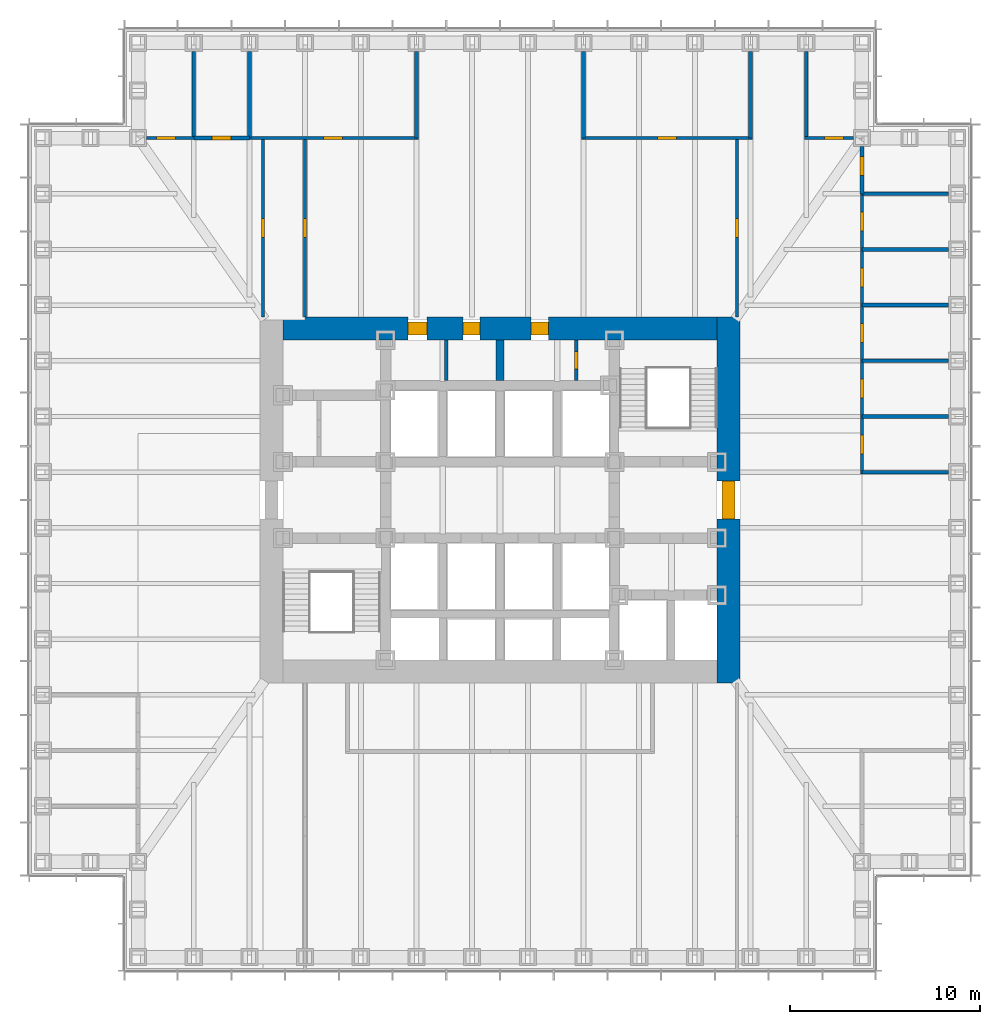
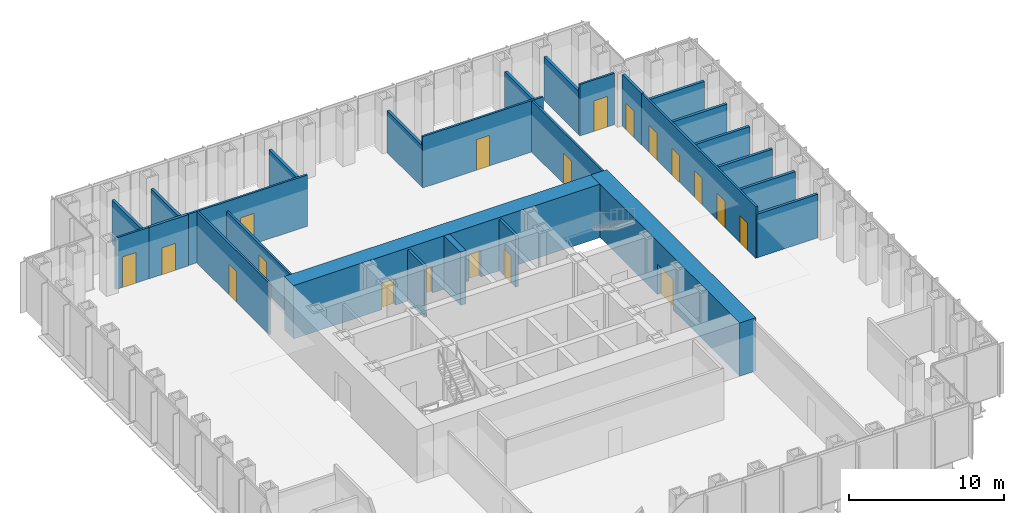
# One storey, part 10 of 17: 27 walls, 19 doors, 19 openings.
"""IFC4 building model written with IfcOpenShell, lengths in metres."""

from ifc_helpers import new_model, si_unit, direction, frame, frame_2d, origin, place, context, subcontext, project, spatial, rectangle, extrude, material, layer, layer_set, type_object, element, fill, save


model = new_model("IFC4")

# Units and contexts
model_context = context("Model", 3, precision=1e-05, world=origin(), true_north=direction((0.0, 1.0)))
body_context = subcontext(model_context, "Body", "Model", "MODEL_VIEW")
ifc_project = project(units=[si_unit("LENGTHUNIT", "METRE"), si_unit("AREAUNIT", "SQUARE_METRE"), si_unit("VOLUMEUNIT", "CUBIC_METRE"), si_unit("PLANEANGLEUNIT", "RADIAN"), si_unit("MASSUNIT", "GRAM", prefix="KILO")], contexts=[model_context])

# Site, building, storey
site_placement = place(None, origin())
site = spatial("IfcSite", under=ifc_project, at=site_placement, CompositionType="ELEMENT")
building_placement = place(site_placement, origin())
building = spatial("IfcBuilding", under=site, at=building_placement, Name="Daluyong Arena Tower", CompositionType="ELEMENT")
storey_placement = place(building_placement, frame((0.0, 0.0, 55.89990234375)))
storey = spatial("IfcBuildingStorey", under=building, at=storey_placement, Name="L11", CompositionType="ELEMENT", Elevation=55.89990234375)

# Wall, opening, door
ifc_material_1 = material(Name="Concrete fc' 60 MPa", Category="concrete")
ifc_layer_1 = layer(ifc_material_1, 1.199951171875)
ifc_layer_set_1 = layer_set([ifc_layer_1], Name="Concrete fc' 60 MPa")
wall_type_1 = type_object("IfcWallType", Name="Core wall 1200", PredefinedType="SHEAR", material=ifc_layer_set_1)
wall_1_placement = place(storey_placement, frame((68.0, 70.39990234375, 0.0), z_axis=(0.0, 0.0, 1.0), x_axis=(0.0, 1.0, 0.0)))
wall_1 = element("IfcWall", 1, at=wall_1_placement, inside=storey, type_object=wall_type_1, Name="core wall at L11", PredefinedType="SHEAR", context=body_context, shape_type="SweptSolid", body=[
    extrude(rectangle(XDim=19.2001953125, YDim=1.199951171875, at=frame_2d((9.60009765625, 0.0))), origin(), (0.0, 0.0, 1.0), 4.2001953125),
])
opening_1_placement = place(wall_1_placement, frame((8.60009765625, 0.0, 0.0)))
opening_1 = element("IfcOpeningElement", 2, at=opening_1_placement, cuts=wall_1, Name="Opening 11011", PredefinedType="OPENING", context=body_context, shape_type="SweptSolid", body=[
    extrude(rectangle(XDim=2.0, YDim=2.39990234375, at=frame_2d((1.0, 1.199951171875))), frame((0.0, 0.60986328125, 0.0), z_axis=(0.0, -1.0, 0.0), x_axis=(1.0, 0.0, 0.0)), (0.0, 0.0, 1.0), 1.219970703125),
])
ifc_material_2 = material(Name="Steel door, fire rated", Category="steel")
door_type_1 = type_object("IfcDoorType", Name="Core lobby double door 2000", OperationType="DOUBLE_DOOR_SINGLE_SWING", PredefinedType="DOOR", material=ifc_material_2)
door_1_placement = place(opening_1_placement, origin())
door_1 = element("IfcDoor", 3, at=door_1_placement, inside=storey, type_object=door_type_1, Name="core lobby door east 11011", OperationType="DOUBLE_DOOR_SINGLE_SWING", OverallHeight=2.39990234375, OverallWidth=2.0, PredefinedType="DOOR", context=body_context, shape_type="SweptSolid", body=[
    extrude(rectangle(XDim=2.0, YDim=2.39990234375, at=frame_2d((1.0, 1.199951171875))), frame((0.0, 0.35009765625, 0.0), z_axis=(0.0, -1.0, 0.0), x_axis=(1.0, 0.0, 0.0)), (0.0, 0.0, 1.0), 0.699951171875),
])
fill(opening_1, door_1)

# Wall, openings, doors
wall_2_placement = place(storey_placement, frame((44.60009765625, 89.0, 0.0), z_axis=(0.0, 0.0, 1.0), x_axis=(1.0, 0.0, 0.0)))
wall_2 = element("IfcWall", 4, at=wall_2_placement, inside=storey, type_object=wall_type_1, Name="core wall at L11", PredefinedType="SHEAR", context=body_context, shape_type="SweptSolid", body=[
    extrude(rectangle(XDim=22.7998046875, YDim=1.199951171875, at=frame_2d((11.39990234375, 0.0))), origin(), (0.0, 0.0, 1.0), 4.2001953125),
])
opening_2_placement = place(wall_2_placement, frame((6.574951171875, 0.0, 0.0)))
opening_2 = element("IfcOpeningElement", 5, at=opening_2_placement, cuts=wall_2, Name="Opening 11004", PredefinedType="OPENING", context=body_context, shape_type="SweptSolid", body=[
    extrude(rectangle(XDim=1.0, YDim=2.10009765625, at=frame_2d((0.5, 1.050048828125))), frame((0.0, 0.60986328125, 0.0), z_axis=(0.0, -1.0, 0.0), x_axis=(1.0, 0.0, 0.0)), (0.0, 0.0, 1.0), 1.219970703125),
])
opening_3_placement = place(wall_2_placement, frame((9.449951171875, 0.0, 0.0)))
opening_3 = element("IfcOpeningElement", 6, at=opening_3_placement, cuts=wall_2, Name="Opening 11005", PredefinedType="OPENING", context=body_context, shape_type="SweptSolid", body=[
    extrude(rectangle(XDim=0.89990234375, YDim=2.10009765625, at=frame_2d((0.449951171875, 1.050048828125))), frame((0.0, 0.60986328125, 0.0), z_axis=(0.0, -1.0, 0.0), x_axis=(1.0, 0.0, 0.0)), (0.0, 0.0, 1.0), 1.219970703125),
])
opening_4_placement = place(wall_2_placement, frame((13.03759765625, 0.0, 0.0)))
opening_4 = element("IfcOpeningElement", 7, at=opening_4_placement, cuts=wall_2, Name="Opening 11006", PredefinedType="OPENING", context=body_context, shape_type="SweptSolid", body=[
    extrude(rectangle(XDim=0.89990234375, YDim=2.10009765625, at=frame_2d((0.449951171875, 1.050048828125))), frame((0.0, 0.60986328125, 0.0), z_axis=(0.0, -1.0, 0.0), x_axis=(1.0, 0.0, 0.0)), (0.0, 0.0, 1.0), 1.219970703125),
])
ifc_material_3 = material(Name="Timber door", Category="wood")
door_type_2 = type_object("IfcDoorType", Name="Accessible toilet door 1000", OperationType="SINGLE_SWING_LEFT", PredefinedType="DOOR", material=ifc_material_3)
door_2_placement = place(opening_2_placement, origin())
door_2 = element("IfcDoor", 8, at=door_2_placement, inside=storey, type_object=door_type_2, Name="accessible toilet door 11004", OperationType="SINGLE_SWING_LEFT", OverallHeight=2.10009765625, OverallWidth=1.0, PredefinedType="DOOR", context=body_context, shape_type="SweptSolid", body=[
    extrude(rectangle(XDim=1.0, YDim=2.10009765625, at=frame_2d((0.5, 1.050048828125))), frame((0.0, 0.35009765625, 0.0), z_axis=(0.0, -1.0, 0.0), x_axis=(1.0, 0.0, 0.0)), (0.0, 0.0, 1.0), 0.699951171875),
])
fill(opening_2, door_2)
ifc_material_4 = material(Name="Steel door, fire rated", Category="steel")
door_type_3 = type_object("IfcDoorType", Name="Core room door 900", OperationType="SINGLE_SWING_LEFT", PredefinedType="DOOR", material=ifc_material_4)
door_3_placement = place(opening_3_placement, origin())
door_3 = element("IfcDoor", 9, at=door_3_placement, inside=storey, type_object=door_type_3, Name="print room door 11005", OperationType="SINGLE_SWING_LEFT", OverallHeight=2.10009765625, OverallWidth=0.89990234375, PredefinedType="DOOR", context=body_context, shape_type="SweptSolid", body=[
    extrude(rectangle(XDim=0.89990234375, YDim=2.10009765625, at=frame_2d((0.449951171875, 1.050048828125))), frame((0.0, 0.35009765625, 0.0), z_axis=(0.0, -1.0, 0.0), x_axis=(1.0, 0.0, 0.0)), (0.0, 0.0, 1.0), 0.699951171875),
])
fill(opening_3, door_3)
ifc_material_5 = material(Name="Steel door, fire rated", Category="steel")
door_type_4 = type_object("IfcDoorType", Name="Core store door 900", OperationType="SINGLE_SWING_LEFT", PredefinedType="DOOR", material=ifc_material_5)
door_4_placement = place(opening_4_placement, origin())
door_4 = element("IfcDoor", 10, at=door_4_placement, inside=storey, type_object=door_type_4, Name="tenant store door 11006", OperationType="SINGLE_SWING_LEFT", OverallHeight=2.10009765625, OverallWidth=0.89990234375, PredefinedType="DOOR", context=body_context, shape_type="SweptSolid", body=[
    extrude(rectangle(XDim=0.89990234375, YDim=2.10009765625, at=frame_2d((0.449951171875, 1.050048828125))), frame((0.0, 0.35009765625, 0.0), z_axis=(0.0, -1.0, 0.0), x_axis=(1.0, 0.0, 0.0)), (0.0, 0.0, 1.0), 0.699951171875),
])
fill(opening_4, door_4)

# Wall
ifc_material_6 = material(Name="Concrete block partition, fire rated", Category="concrete")
ifc_layer_2 = layer(ifc_material_6, 0.199951171875)
ifc_layer_set_2 = layer_set([ifc_layer_2], Name="Concrete block partition, fire rated")
wall_type_2 = type_object("IfcWallType", Name="Fire-rated partition 200", PredefinedType="PARTITIONING", material=ifc_layer_set_2)
wall_3_placement = place(storey_placement, frame((53.175048828125, 86.27490234375, 0.0), z_axis=(0.0, 0.0, 1.0), x_axis=(0.0, 1.0, 0.0)))
element("IfcWall", 11, at=wall_3_placement, inside=storey, type_object=wall_type_2, Name="core room partition at L11", PredefinedType="PARTITIONING", context=body_context, shape_type="SweptSolid", body=[
    extrude(rectangle(XDim=2.125, YDim=0.199951171875, at=frame_2d((1.0625, 0.0))), origin(), (0.0, 0.0, 1.0), 4.0400390625),
])

# Wall, opening, door
wall_4_placement = place(storey_placement, frame((60.0, 86.27490234375, 0.0), z_axis=(0.0, 0.0, 1.0), x_axis=(0.0, 1.0, 0.0)))
wall_4 = element("IfcWall", 12, at=wall_4_placement, inside=storey, type_object=wall_type_2, Name="electrical riser enclosure at L11", PredefinedType="PARTITIONING", context=body_context, shape_type="SweptSolid", body=[
    extrude(rectangle(XDim=2.125, YDim=0.199951171875, at=frame_2d((1.0625, 0.0))), origin(), (0.0, 0.0, 1.0), 4.0400390625),
])
opening_5_placement = place(wall_4_placement, frame((0.612548828125, 0.0, 0.0)))
opening_5 = element("IfcOpeningElement", 13, at=opening_5_placement, cuts=wall_4, Name="Opening 11007", PredefinedType="OPENING", context=body_context, shape_type="SweptSolid", body=[
    extrude(rectangle(XDim=0.89990234375, YDim=2.10009765625, at=frame_2d((0.449951171875, 1.050048828125))), frame((0.0, 0.10986328125, 0.0), z_axis=(0.0, -1.0, 0.0), x_axis=(1.0, 0.0, 0.0)), (0.0, 0.0, 1.0), 0.219970703125),
])
ifc_material_7 = material(Name="Steel door, fire rated", Category="steel")
door_type_5 = type_object("IfcDoorType", Name="Riser door 900", OperationType="SINGLE_SWING_LEFT", PredefinedType="DOOR", material=ifc_material_7)
door_5_placement = place(opening_5_placement, origin())
door_5 = element("IfcDoor", 14, at=door_5_placement, inside=storey, type_object=door_type_5, Name="riser door 11007", OperationType="SINGLE_SWING_LEFT", OverallHeight=2.10009765625, OverallWidth=0.89990234375, PredefinedType="DOOR", context=body_context, shape_type="SweptSolid", body=[
    extrude(rectangle(XDim=0.89990234375, YDim=2.10009765625, at=frame_2d((0.449951171875, 1.050048828125))), frame((0.0, 0.099609375, 0.0), z_axis=(0.0, -1.0, 0.0), x_axis=(1.0, 0.0, 0.0)), (0.0, 0.0, 1.0), 0.199462890625),
])
fill(opening_5, door_5)

ifc_material_8 = material(Name="Glazed aluminium partition", Category="aluminium")
ifc_layer_3 = layer(ifc_material_8, 0.14990234375)
ifc_layer_set_3 = layer_set([ifc_layer_3], Name="Glazed aluminium partition")
wall_type_3 = type_object("IfcWallType", Name="Glazed partition 150", PredefinedType="PARTITIONING", material=ifc_layer_set_3)
wall_5_placement = place(storey_placement, frame((37.449951171875, 99.0, 0.0), z_axis=(0.0, 0.0, 1.0), x_axis=(1.0, 0.0, 0.0)))
wall_5 = element("IfcWall", 15, at=wall_5_placement, inside=storey, type_object=wall_type_3, Name="glazed partition at L11", PredefinedType="PARTITIONING", context=body_context, shape_type="SweptSolid", body=[
    extrude(rectangle(XDim=2.47314453125, YDim=0.14990234375, at=frame_2d((1.236572265625, 0.0))), origin(), (0.0, 0.0, 1.0), 4.0400390625),
])
opening_6_placement = place(wall_5_placement, frame((0.511474609375, 0.0, 0.0)))
opening_6 = element("IfcOpeningElement", 16, at=opening_6_placement, cuts=wall_5, Name="Opening 11028", PredefinedType="OPENING", context=body_context, shape_type="SweptSolid", body=[
    extrude(rectangle(XDim=1.0, YDim=2.39990234375, at=frame_2d((0.5, 1.199951171875))), frame((0.0, 0.0849609375, 0.0), z_axis=(0.0, -1.0, 0.0), x_axis=(1.0, 0.0, 0.0)), (0.0, 0.0, 1.0), 0.169921875),
])
ifc_material_9 = material(Name="Glazed aluminium door", Category="aluminium")
door_type_6 = type_object("IfcDoorType", Name="Meeting room glazed door 1000", OperationType="SINGLE_SWING_RIGHT", PredefinedType="DOOR", material=ifc_material_9)
door_6_placement = place(opening_6_placement, origin())
door_6 = element("IfcDoor", 17, at=door_6_placement, inside=storey, type_object=door_type_6, Name="meeting room door 11028", OperationType="SINGLE_SWING_RIGHT", OverallHeight=2.39990234375, OverallWidth=1.0, PredefinedType="DOOR", context=body_context, shape_type="SweptSolid", body=[
    extrude(rectangle(XDim=1.0, YDim=2.39990234375, at=frame_2d((0.5, 1.199951171875))), frame((0.0, 0.07470703125, 0.0), z_axis=(0.0, -1.0, 0.0), x_axis=(1.0, 0.0, 0.0)), (0.0, 0.0, 1.0), 0.1494140625),
])
fill(opening_6, door_6)

wall_6_placement = place(storey_placement, frame((42.84619140625, 99.0, 0.0), z_axis=(0.0, 0.0, 1.0), x_axis=(1.0, 0.0, 0.0)))
wall_6 = element("IfcWall", 18, at=wall_6_placement, inside=storey, type_object=wall_type_3, Name="glazed partition at L11", PredefinedType="PARTITIONING", context=body_context, shape_type="SweptSolid", body=[
    extrude(rectangle(XDim=8.869140625, YDim=0.14990234375, at=frame_2d((4.4345703125, 0.0))), origin(), (0.0, 0.0, 1.0), 4.0400390625),
])
opening_7_placement = place(wall_6_placement, frame((3.884521484375, 0.0, 0.0)))
opening_7 = element("IfcOpeningElement", 19, at=opening_7_placement, cuts=wall_6, Name="Opening 11030", PredefinedType="OPENING", context=body_context, shape_type="SweptSolid", body=[
    extrude(rectangle(XDim=1.0, YDim=2.39990234375, at=frame_2d((0.5, 1.199951171875))), frame((0.0, 0.0849609375, 0.0), z_axis=(0.0, -1.0, 0.0), x_axis=(1.0, 0.0, 0.0)), (0.0, 0.0, 1.0), 0.169921875),
])
door_7_placement = place(opening_7_placement, origin())
door_7 = element("IfcDoor", 20, at=door_7_placement, inside=storey, type_object=door_type_6, Name="meeting room door 11030", OperationType="SINGLE_SWING_RIGHT", OverallHeight=2.39990234375, OverallWidth=1.0, PredefinedType="DOOR", context=body_context, shape_type="SweptSolid", body=[
    extrude(rectangle(XDim=1.0, YDim=2.39990234375, at=frame_2d((0.5, 1.199951171875))), frame((0.0, 0.07470703125, 0.0), z_axis=(0.0, -1.0, 0.0), x_axis=(1.0, 0.0, 0.0)), (0.0, 0.0, 1.0), 0.1494140625),
])
fill(opening_7, door_7)

wall_7_placement = place(storey_placement, frame((60.28466796875, 99.0, 0.0), z_axis=(0.0, 0.0, 1.0), x_axis=(1.0, 0.0, 0.0)))
wall_7 = element("IfcWall", 21, at=wall_7_placement, inside=storey, type_object=wall_type_3, Name="glazed partition at L11", PredefinedType="PARTITIONING", context=body_context, shape_type="SweptSolid", body=[
    extrude(rectangle(XDim=8.96923828125, YDim=0.14990234375, at=frame_2d((4.484619140625, 0.0))), origin(), (0.0, 0.0, 1.0), 4.0400390625),
])
opening_8_placement = place(wall_7_placement, frame((3.984619140625, 0.0, 0.0)))
opening_8 = element("IfcOpeningElement", 22, at=opening_8_placement, cuts=wall_7, Name="Opening 11031", PredefinedType="OPENING", context=body_context, shape_type="SweptSolid", body=[
    extrude(rectangle(XDim=1.0, YDim=2.39990234375, at=frame_2d((0.5, 1.199951171875))), frame((0.0, 0.0849609375, 0.0), z_axis=(0.0, -1.0, 0.0), x_axis=(1.0, 0.0, 0.0)), (0.0, 0.0, 1.0), 0.169921875),
])
door_8_placement = place(opening_8_placement, origin())
door_8 = element("IfcDoor", 23, at=door_8_placement, inside=storey, type_object=door_type_6, Name="meeting room door 11031", OperationType="SINGLE_SWING_RIGHT", OverallHeight=2.39990234375, OverallWidth=1.0, PredefinedType="DOOR", context=body_context, shape_type="SweptSolid", body=[
    extrude(rectangle(XDim=1.0, YDim=2.39990234375, at=frame_2d((0.5, 1.199951171875))), frame((0.0, 0.07470703125, 0.0), z_axis=(0.0, -1.0, 0.0), x_axis=(1.0, 0.0, 0.0)), (0.0, 0.0, 1.0), 0.1494140625),
])
fill(opening_8, door_8)

wall_8_placement = place(storey_placement, frame((71.976806640625, 99.0, 0.0), z_axis=(0.0, 0.0, 1.0), x_axis=(1.0, 0.0, 0.0)))
wall_8 = element("IfcWall", 24, at=wall_8_placement, inside=storey, type_object=wall_type_3, Name="glazed partition at L11", PredefinedType="PARTITIONING", context=body_context, shape_type="SweptSolid", body=[
    extrude(rectangle(XDim=2.5732421875, YDim=0.14990234375, at=frame_2d((1.28662109375, 0.0))), origin(), (0.0, 0.0, 1.0), 4.0400390625),
])
opening_9_placement = place(wall_8_placement, frame((1.0615234375, 0.0, 0.0)))
opening_9 = element("IfcOpeningElement", 25, at=opening_9_placement, cuts=wall_8, Name="Opening 11032", PredefinedType="OPENING", context=body_context, shape_type="SweptSolid", body=[
    extrude(rectangle(XDim=1.0, YDim=2.39990234375, at=frame_2d((0.5, 1.199951171875))), frame((0.0, 0.0849609375, 0.0), z_axis=(0.0, -1.0, 0.0), x_axis=(1.0, 0.0, 0.0)), (0.0, 0.0, 1.0), 0.169921875),
])
door_9_placement = place(opening_9_placement, origin())
door_9 = element("IfcDoor", 26, at=door_9_placement, inside=storey, type_object=door_type_6, Name="focus room door 11032", OperationType="SINGLE_SWING_RIGHT", OverallHeight=2.39990234375, OverallWidth=1.0, PredefinedType="DOOR", context=body_context, shape_type="SweptSolid", body=[
    extrude(rectangle(XDim=1.0, YDim=2.39990234375, at=frame_2d((0.5, 1.199951171875))), frame((0.0, 0.07470703125, 0.0), z_axis=(0.0, -1.0, 0.0), x_axis=(1.0, 0.0, 0.0)), (0.0, 0.0, 1.0), 0.1494140625),
])
fill(opening_9, door_9)

wall_9_placement = place(storey_placement, frame((43.550048828125, 89.60009765625, 0.0), z_axis=(0.0, 0.0, 1.0), x_axis=(0.0, 1.0, 0.0)))
wall_9 = element("IfcWall", 27, at=wall_9_placement, inside=storey, type_object=wall_type_3, Name="glazed partition at L11", PredefinedType="PARTITIONING", context=body_context, shape_type="SweptSolid", body=[
    extrude(rectangle(XDim=9.349853515625, YDim=0.14990234375, at=frame_2d((4.6748046875, 0.0))), origin(), (0.0, 0.0, 1.0), 4.0400390625),
])
opening_10_placement = place(wall_9_placement, frame((4.175048828125, 0.0, 0.0)))
opening_10 = element("IfcOpeningElement", 28, at=opening_10_placement, cuts=wall_9, Name="Opening 11038", PredefinedType="OPENING", context=body_context, shape_type="SweptSolid", body=[
    extrude(rectangle(XDim=1.0, YDim=2.39990234375, at=frame_2d((0.5, 1.199951171875))), frame((0.0, 0.0849609375, 0.0), z_axis=(0.0, -1.0, 0.0), x_axis=(1.0, 0.0, 0.0)), (0.0, 0.0, 1.0), 0.169921875),
])
door_10_placement = place(opening_10_placement, origin())
door_10 = element("IfcDoor", 29, at=door_10_placement, inside=storey, type_object=door_type_6, Name="team area screen door 11038", OperationType="SINGLE_SWING_RIGHT", OverallHeight=2.39990234375, OverallWidth=1.0, PredefinedType="DOOR", context=body_context, shape_type="SweptSolid", body=[
    extrude(rectangle(XDim=1.0, YDim=2.39990234375, at=frame_2d((0.5, 1.199951171875))), frame((0.0, 0.07470703125, 0.0), z_axis=(0.0, -1.0, 0.0), x_axis=(1.0, 0.0, 0.0)), (0.0, 0.0, 1.0), 0.1494140625),
])
fill(opening_10, door_10)

wall_10_placement = place(storey_placement, frame((45.769287109375, 89.60009765625, 0.0), z_axis=(0.0, 0.0, 1.0), x_axis=(0.0, 1.0, 0.0)))
wall_10 = element("IfcWall", 30, at=wall_10_placement, inside=storey, type_object=wall_type_3, Name="glazed partition at L11", PredefinedType="PARTITIONING", context=body_context, shape_type="SweptSolid", body=[
    extrude(rectangle(XDim=9.349853515625, YDim=0.14990234375, at=frame_2d((4.6748046875, 0.0))), origin(), (0.0, 0.0, 1.0), 3.278076171875),
])
opening_11_placement = place(wall_10_placement, frame((4.175048828125, 0.0, 0.0)))
opening_11 = element("IfcOpeningElement", 31, at=opening_11_placement, cuts=wall_10, Name="Opening 11041", PredefinedType="OPENING", context=body_context, shape_type="SweptSolid", body=[
    extrude(rectangle(XDim=1.0, YDim=2.39990234375, at=frame_2d((0.5, 1.199951171875))), frame((0.0, 0.0849609375, 0.0), z_axis=(0.0, -1.0, 0.0), x_axis=(1.0, 0.0, 0.0)), (0.0, 0.0, 1.0), 0.169921875),
])
door_11_placement = place(opening_11_placement, origin())
door_11 = element("IfcDoor", 32, at=door_11_placement, inside=storey, type_object=door_type_6, Name="team area screen door 11041", OperationType="SINGLE_SWING_RIGHT", OverallHeight=2.39990234375, OverallWidth=1.0, PredefinedType="DOOR", context=body_context, shape_type="SweptSolid", body=[
    extrude(rectangle(XDim=1.0, YDim=2.39990234375, at=frame_2d((0.5, 1.199951171875))), frame((0.0, 0.07470703125, 0.0), z_axis=(0.0, -1.0, 0.0), x_axis=(1.0, 0.0, 0.0)), (0.0, 0.0, 1.0), 0.1494140625),
])
fill(opening_11, door_11)

wall_11_placement = place(storey_placement, frame((68.449951171875, 89.60009765625, 0.0), z_axis=(0.0, 0.0, 1.0), x_axis=(0.0, 1.0, 0.0)))
wall_11 = element("IfcWall", 33, at=wall_11_placement, inside=storey, type_object=wall_type_3, Name="glazed partition at L11", PredefinedType="PARTITIONING", context=body_context, shape_type="SweptSolid", body=[
    extrude(rectangle(XDim=9.349853515625, YDim=0.14990234375, at=frame_2d((4.6748046875, 0.0))), origin(), (0.0, 0.0, 1.0), 4.0400390625),
])
opening_12_placement = place(wall_11_placement, frame((4.175048828125, 0.0, 0.0)))
opening_12 = element("IfcOpeningElement", 34, at=opening_12_placement, cuts=wall_11, Name="Opening 11039", PredefinedType="OPENING", context=body_context, shape_type="SweptSolid", body=[
    extrude(rectangle(XDim=1.0, YDim=2.39990234375, at=frame_2d((0.5, 1.199951171875))), frame((0.0, 0.0849609375, 0.0), z_axis=(0.0, -1.0, 0.0), x_axis=(1.0, 0.0, 0.0)), (0.0, 0.0, 1.0), 0.169921875),
])
door_12_placement = place(opening_12_placement, origin())
door_12 = element("IfcDoor", 35, at=door_12_placement, inside=storey, type_object=door_type_6, Name="team area screen door 11039", OperationType="SINGLE_SWING_RIGHT", OverallHeight=2.39990234375, OverallWidth=1.0, PredefinedType="DOOR", context=body_context, shape_type="SweptSolid", body=[
    extrude(rectangle(XDim=1.0, YDim=2.39990234375, at=frame_2d((0.5, 1.199951171875))), frame((0.0, 0.07470703125, 0.0), z_axis=(0.0, -1.0, 0.0), x_axis=(1.0, 0.0, 0.0)), (0.0, 0.0, 1.0), 0.1494140625),
])
fill(opening_12, door_12)

# Wall, openings, doors
wall_12_placement = place(storey_placement, frame((75.0, 81.361572265625, 0.0), z_axis=(0.0, 0.0, 1.0), x_axis=(0.0, 1.0, 0.0)))
wall_12 = element("IfcWall", 36, at=wall_12_placement, inside=storey, type_object=wall_type_3, Name="glazed partition at L11", PredefinedType="PARTITIONING", context=body_context, shape_type="SweptSolid", body=[
    extrude(rectangle(XDim=14.71533203125, YDim=0.14990234375, at=frame_2d((7.357666015625, 0.0))), origin(), (0.0, 0.0, 1.0), 4.0400390625),
])
opening_13_placement = place(wall_12_placement, frame((1.0615234375, 0.0, 0.0)))
opening_13 = element("IfcOpeningElement", 37, at=opening_13_placement, cuts=wall_12, Name="Opening 11022", PredefinedType="OPENING", context=body_context, shape_type="SweptSolid", body=[
    extrude(rectangle(XDim=1.0, YDim=2.10009765625, at=frame_2d((0.5, 1.050048828125))), frame((0.0, 0.0849609375, 0.0), z_axis=(0.0, -1.0, 0.0), x_axis=(1.0, 0.0, 0.0)), (0.0, 0.0, 1.0), 0.169921875),
])
opening_14_placement = place(wall_12_placement, frame((3.984619140625, 0.0, 0.0)))
opening_14 = element("IfcOpeningElement", 38, at=opening_14_placement, cuts=wall_12, Name="Opening 11023", PredefinedType="OPENING", context=body_context, shape_type="SweptSolid", body=[
    extrude(rectangle(XDim=1.0, YDim=2.10009765625, at=frame_2d((0.5, 1.050048828125))), frame((0.0, 0.0849609375, 0.0), z_axis=(0.0, -1.0, 0.0), x_axis=(1.0, 0.0, 0.0)), (0.0, 0.0, 1.0), 0.169921875),
])
opening_15_placement = place(wall_12_placement, frame((6.90771484375, 0.0, 0.0)))
opening_15 = element("IfcOpeningElement", 39, at=opening_15_placement, cuts=wall_12, Name="Opening 11024", PredefinedType="OPENING", context=body_context, shape_type="SweptSolid", body=[
    extrude(rectangle(XDim=1.0, YDim=2.10009765625, at=frame_2d((0.5, 1.050048828125))), frame((0.0, 0.0849609375, 0.0), z_axis=(0.0, -1.0, 0.0), x_axis=(1.0, 0.0, 0.0)), (0.0, 0.0, 1.0), 0.169921875),
])
opening_16_placement = place(wall_12_placement, frame((9.830810546875, 0.0, 0.0)))
opening_16 = element("IfcOpeningElement", 40, at=opening_16_placement, cuts=wall_12, Name="Opening 11025", PredefinedType="OPENING", context=body_context, shape_type="SweptSolid", body=[
    extrude(rectangle(XDim=1.0, YDim=2.10009765625, at=frame_2d((0.5, 1.050048828125))), frame((0.0, 0.0849609375, 0.0), z_axis=(0.0, -1.0, 0.0), x_axis=(1.0, 0.0, 0.0)), (0.0, 0.0, 1.0), 0.169921875),
])
opening_17_placement = place(wall_12_placement, frame((12.75390625, 0.0, 0.0)))
opening_17 = element("IfcOpeningElement", 41, at=opening_17_placement, cuts=wall_12, Name="Opening 11026", PredefinedType="OPENING", context=body_context, shape_type="SweptSolid", body=[
    extrude(rectangle(XDim=1.0, YDim=2.10009765625, at=frame_2d((0.5, 1.050048828125))), frame((0.0, 0.0849609375, 0.0), z_axis=(0.0, -1.0, 0.0), x_axis=(1.0, 0.0, 0.0)), (0.0, 0.0, 1.0), 0.169921875),
])
ifc_material_10 = material(Name="Timber door", Category="wood")
door_type_7 = type_object("IfcDoorType", Name="Room door 1000", OperationType="SINGLE_SWING_LEFT", PredefinedType="DOOR", material=ifc_material_10)
door_13_placement = place(opening_13_placement, origin())
door_13 = element("IfcDoor", 42, at=door_13_placement, inside=storey, type_object=door_type_7, Name="office door 11022", OperationType="SINGLE_SWING_LEFT", OverallHeight=2.10009765625, OverallWidth=1.0, PredefinedType="DOOR", context=body_context, shape_type="SweptSolid", body=[
    extrude(rectangle(XDim=1.0, YDim=2.10009765625, at=frame_2d((0.5, 1.050048828125))), frame((0.0, 0.07470703125, 0.0), z_axis=(0.0, -1.0, 0.0), x_axis=(1.0, 0.0, 0.0)), (0.0, 0.0, 1.0), 0.1494140625),
])
fill(opening_13, door_13)
door_14_placement = place(opening_14_placement, origin())
door_14 = element("IfcDoor", 43, at=door_14_placement, inside=storey, type_object=door_type_7, Name="office door 11023", OperationType="SINGLE_SWING_LEFT", OverallHeight=2.10009765625, OverallWidth=1.0, PredefinedType="DOOR", context=body_context, shape_type="SweptSolid", body=[
    extrude(rectangle(XDim=1.0, YDim=2.10009765625, at=frame_2d((0.5, 1.050048828125))), frame((0.0, 0.07470703125, 0.0), z_axis=(0.0, -1.0, 0.0), x_axis=(1.0, 0.0, 0.0)), (0.0, 0.0, 1.0), 0.1494140625),
])
fill(opening_14, door_14)
door_15_placement = place(opening_15_placement, origin())
door_15 = element("IfcDoor", 44, at=door_15_placement, inside=storey, type_object=door_type_7, Name="office door 11024", OperationType="SINGLE_SWING_LEFT", OverallHeight=2.10009765625, OverallWidth=1.0, PredefinedType="DOOR", context=body_context, shape_type="SweptSolid", body=[
    extrude(rectangle(XDim=1.0, YDim=2.10009765625, at=frame_2d((0.5, 1.050048828125))), frame((0.0, 0.07470703125, 0.0), z_axis=(0.0, -1.0, 0.0), x_axis=(1.0, 0.0, 0.0)), (0.0, 0.0, 1.0), 0.1494140625),
])
fill(opening_15, door_15)
door_16_placement = place(opening_16_placement, origin())
door_16 = element("IfcDoor", 45, at=door_16_placement, inside=storey, type_object=door_type_7, Name="office door 11025", OperationType="SINGLE_SWING_LEFT", OverallHeight=2.10009765625, OverallWidth=1.0, PredefinedType="DOOR", context=body_context, shape_type="SweptSolid", body=[
    extrude(rectangle(XDim=1.0, YDim=2.10009765625, at=frame_2d((0.5, 1.050048828125))), frame((0.0, 0.07470703125, 0.0), z_axis=(0.0, -1.0, 0.0), x_axis=(1.0, 0.0, 0.0)), (0.0, 0.0, 1.0), 0.1494140625),
])
fill(opening_16, door_16)
door_17_placement = place(opening_17_placement, origin())
door_17 = element("IfcDoor", 46, at=door_17_placement, inside=storey, type_object=door_type_7, Name="office door 11026", OperationType="SINGLE_SWING_LEFT", OverallHeight=2.10009765625, OverallWidth=1.0, PredefinedType="DOOR", context=body_context, shape_type="SweptSolid", body=[
    extrude(rectangle(XDim=1.0, YDim=2.10009765625, at=frame_2d((0.5, 1.050048828125))), frame((0.0, 0.07470703125, 0.0), z_axis=(0.0, -1.0, 0.0), x_axis=(1.0, 0.0, 0.0)), (0.0, 0.0, 1.0), 0.1494140625),
])
fill(opening_17, door_17)

# Walls
ifc_material_11 = material(Name="Concrete fc' 45 MPa", Category="concrete")
ifc_layer_4 = layer(ifc_material_11, 0.39990234375)
ifc_layer_set_4 = layer_set([ifc_layer_4], Name="Concrete fc' 45 MPa")
wall_type_4 = type_object("IfcWallType", Name="Lift shaft wall 400", PredefinedType="SHEAR", material=ifc_layer_set_4)
wall_13_placement = place(storey_placement, frame((56.0, 86.27490234375, 0.0), z_axis=(0.0, 0.0, 1.0), x_axis=(0.0, 1.0, 0.0)))
element("IfcWall", 47, at=wall_13_placement, inside=storey, type_object=wall_type_4, Name="lift shaft wall at L11", PredefinedType="SHEAR", context=body_context, shape_type="SweptSolid", body=[
    extrude(rectangle(XDim=2.125, YDim=0.39990234375, at=frame_2d((1.0625, 0.0))), origin(), (0.0, 0.0, 1.0), 4.2001953125),
])
ifc_material_12 = material(Name="Concrete block partition", Category="concrete")
ifc_layer_5 = layer(ifc_material_12, 0.199951171875)
ifc_layer_set_5 = layer_set([ifc_layer_5], Name="Concrete block partition")
wall_type_5 = type_object("IfcWallType", Name="Partition 200", PredefinedType="PARTITIONING", material=ifc_layer_set_5)
for number, where, z_axis, x_axis, name in (
    (48, (75.0, 81.46142578125, 0.0), (0.0, 0.0, 1.0), (1.0, 0.0, 0.0), "partition at L11"),
    (49, (75.0, 84.384521484375, 0.0), (0.0, 0.0, 1.0), (1.0, 0.0, 0.0), "partition at L11"),
    (50, (75.0, 87.3076171875, 0.0), (0.0, 0.0, 1.0), (1.0, 0.0, 0.0), "partition at L11"),
    (51, (75.0, 90.230712890625, 0.0), (0.0, 0.0, 1.0), (1.0, 0.0, 0.0), "partition at L11"),
    (52, (75.0, 93.15380859375, 0.0), (0.0, 0.0, 1.0), (1.0, 0.0, 0.0), "partition at L11"),
    (53, (75.0, 96.076904296875, 0.0), (0.0, 0.0, 1.0), (1.0, 0.0, 0.0), "partition at L11"),
    (54, (39.923095703125, 99.0, 0.0), (0.0, 0.0, 1.0), (0.0, 1.0, 0.0), "partition at L11"),
):
    element("IfcWall", number, at=place(storey_placement, frame(where, z_axis=z_axis, x_axis=x_axis)), inside=storey, type_object=wall_type_5, Name=name, PredefinedType="PARTITIONING", context=body_context, shape_type="SweptSolid", body=[
        extrude(rectangle(XDim=4.550048828125, YDim=0.199951171875, at=frame_2d((2.27490234375, 0.0))), origin(), (0.0, 0.0, 1.0), 3.427978515625),
    ])
for number, where, z_axis, x_axis, name in (
    (55, (42.84619140625, 99.0, 0.0), (0.0, 0.0, 1.0), (0.0, 1.0, 0.0), "partition at L11"),
    (56, (51.615478515625, 99.0, 0.0), (0.0, 0.0, 1.0), (0.0, 1.0, 0.0), "partition at L11"),
    (57, (60.384521484375, 99.0, 0.0), (0.0, 0.0, 1.0), (0.0, 1.0, 0.0), "partition at L11"),
    (58, (69.15380859375, 99.0, 0.0), (0.0, 0.0, 1.0), (0.0, 1.0, 0.0), "partition at L11"),
):
    element("IfcWall", number, at=place(storey_placement, frame(where, z_axis=z_axis, x_axis=x_axis)), inside=storey, type_object=wall_type_5, Name=name, PredefinedType="PARTITIONING", context=body_context, shape_type="SweptSolid", body=[
        extrude(rectangle(XDim=4.550048828125, YDim=0.199951171875, at=frame_2d((2.27490234375, 0.0))), origin(), (0.0, 0.0, 1.0), 3.278076171875),
    ])
wall_14_placement = place(storey_placement, frame((72.076904296875, 99.0, 0.0), z_axis=(0.0, 0.0, 1.0), x_axis=(0.0, 1.0, 0.0)))
element("IfcWall", 59, at=wall_14_placement, inside=storey, type_object=wall_type_5, Name="partition at L11", PredefinedType="PARTITIONING", context=body_context, shape_type="SweptSolid", body=[
    extrude(rectangle(XDim=4.550048828125, YDim=0.199951171875, at=frame_2d((2.27490234375, 0.0))), origin(), (0.0, 0.0, 1.0), 3.427978515625),
])

# Wall, opening, door
wall_15_placement = place(storey_placement, frame((39.923095703125, 99.0, 0.0), z_axis=(0.0, 0.0, 1.0), x_axis=(1.0, 0.0, 0.0)))
wall_15 = element("IfcWall", 60, at=wall_15_placement, inside=storey, type_object=wall_type_5, Name="partition at L11", PredefinedType="PARTITIONING", context=body_context, shape_type="SweptSolid", body=[
    extrude(rectangle(XDim=2.923095703125, YDim=0.199951171875, at=frame_2d((1.46142578125, 0.0))), origin(), (0.0, 0.0, 1.0), 4.0400390625),
])
opening_18_placement = place(wall_15_placement, frame((0.96142578125, 0.0, 0.0)))
opening_18 = element("IfcOpeningElement", 61, at=opening_18_placement, cuts=wall_15, Name="Opening 11029", PredefinedType="OPENING", context=body_context, shape_type="SweptSolid", body=[
    extrude(rectangle(XDim=1.0, YDim=2.10009765625, at=frame_2d((0.5, 1.050048828125))), frame((0.0, 0.10986328125, 0.0), z_axis=(0.0, -1.0, 0.0), x_axis=(1.0, 0.0, 0.0)), (0.0, 0.0, 1.0), 0.219970703125),
])
door_18_placement = place(opening_18_placement, origin())
door_18 = element("IfcDoor", 62, at=door_18_placement, inside=storey, type_object=door_type_7, Name="quiet room door 11029", OperationType="SINGLE_SWING_LEFT", OverallHeight=2.10009765625, OverallWidth=1.0, PredefinedType="DOOR", context=body_context, shape_type="SweptSolid", body=[
    extrude(rectangle(XDim=1.0, YDim=2.10009765625, at=frame_2d((0.5, 1.050048828125))), frame((0.0, 0.099609375, 0.0), z_axis=(0.0, -1.0, 0.0), x_axis=(1.0, 0.0, 0.0)), (0.0, 0.0, 1.0), 0.199462890625),
])
fill(opening_18, door_18)

wall_16_placement = place(storey_placement, frame((75.0, 96.076904296875, 0.0), z_axis=(0.0, 0.0, 1.0), x_axis=(0.0, 1.0, 0.0)))
wall_16 = element("IfcWall", 63, at=wall_16_placement, inside=storey, type_object=wall_type_5, Name="partition at L11", PredefinedType="PARTITIONING", context=body_context, shape_type="SweptSolid", body=[
    extrude(rectangle(XDim=2.47314453125, YDim=0.199951171875, at=frame_2d((1.236572265625, 0.0))), origin(), (0.0, 0.0, 1.0), 4.0400390625),
])
opening_19_placement = place(wall_16_placement, frame((0.96142578125, 0.0, 0.0)))
opening_19 = element("IfcOpeningElement", 64, at=opening_19_placement, cuts=wall_16, Name="Opening 11027", PredefinedType="OPENING", context=body_context, shape_type="SweptSolid", body=[
    extrude(rectangle(XDim=1.0, YDim=2.10009765625, at=frame_2d((0.5, 1.050048828125))), frame((0.0, 0.10986328125, 0.0), z_axis=(0.0, -1.0, 0.0), x_axis=(1.0, 0.0, 0.0)), (0.0, 0.0, 1.0), 0.219970703125),
])
door_19_placement = place(opening_19_placement, origin())
door_19 = element("IfcDoor", 65, at=door_19_placement, inside=storey, type_object=door_type_7, Name="quiet room door 11027", OperationType="SINGLE_SWING_LEFT", OverallHeight=2.10009765625, OverallWidth=1.0, PredefinedType="DOOR", context=body_context, shape_type="SweptSolid", body=[
    extrude(rectangle(XDim=1.0, YDim=2.10009765625, at=frame_2d((0.5, 1.050048828125))), frame((0.0, 0.099609375, 0.0), z_axis=(0.0, -1.0, 0.0), x_axis=(1.0, 0.0, 0.0)), (0.0, 0.0, 1.0), 0.199462890625),
])
fill(opening_19, door_19)

save(model, "model.ifc")
